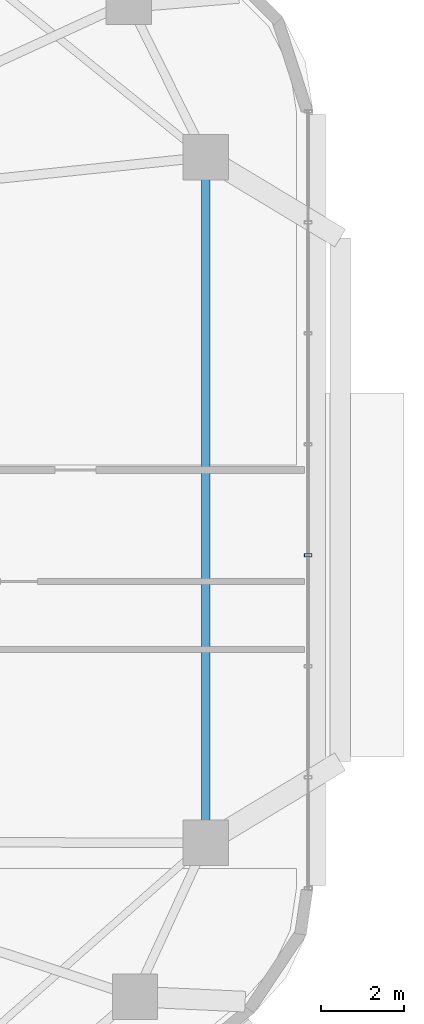
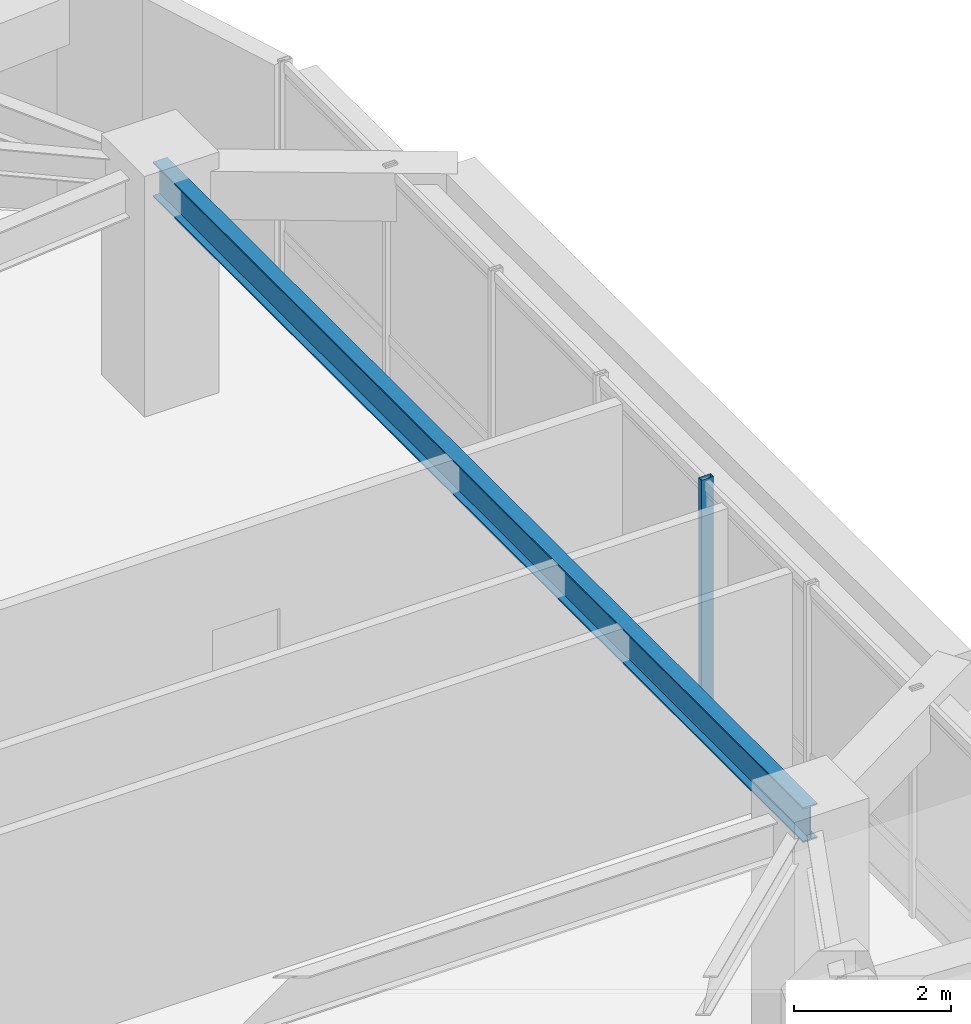
# One storey, part 3 of 15: 1 beam, 1 member, 1 element without a shape of its own.
"""IFC4 building model written with IfcOpenShell, lengths in metres."""

from ifc_helpers import new_model, si_unit, direction, frame, origin, origin_2d, place, context, subcontext, project, spatial, hollow_rectangle, i_section, extrude, material, material_profile, profile_set, type_object, element, aggregate, save


model = new_model("IFC4")

# Units and contexts
model_context = context("Model", 3, precision=1e-05, world=origin(), true_north=direction((0.0, 1.0)))
body_context = subcontext(model_context, "Body", "Model", "MODEL_VIEW")
ifc_project = project(units=[si_unit("LENGTHUNIT", "METRE"), si_unit("AREAUNIT", "SQUARE_METRE"), si_unit("VOLUMEUNIT", "CUBIC_METRE"), si_unit("PLANEANGLEUNIT", "RADIAN"), si_unit("MASSUNIT", "GRAM", prefix="KILO")], contexts=[model_context])

# Site, building, storey
site_placement = place(None, origin())
site = spatial("IfcSite", under=ifc_project, at=site_placement, CompositionType="ELEMENT")
building_placement = place(site_placement, origin())
building = spatial("IfcBuilding", under=site, at=building_placement, Name="Zulverin Broadcast Headquarters", CompositionType="ELEMENT")
storey_placement = place(building_placement, frame((0.0, 0.0, 132.60009765625)))
storey = spatial("IfcBuildingStorey", under=building, at=storey_placement, Name="L33", CompositionType="ELEMENT", Elevation=132.60009765625)

# Beam
ifc_material_1 = material(Name="Structural steel S355JR", Category="steel")
ifc_material_profile_1 = material_profile(ifc_material_1, i_section(OverallWidth=0.2119140625, OverallDepth=0.54443359375, WebThickness=0.0126953125, FlangeThickness=0.021240234375, at=origin_2d()), Name="Structural steel S355JR", Category="steel")
ifc_profile_set_1 = profile_set([ifc_material_profile_1], Name="Structural steel S355JR")
beam_type = type_object("IfcBeamType", Name="BM-UB-533", PredefinedType="SPANDREL", material=ifc_profile_set_1)
beam_placement = place(storey_placement, frame((60.60009765625, 17.519287109375, 3.267578125), z_axis=(0.0, 1.0, 0.0), x_axis=(-1.0, 0.0, 0.0)))
element("IfcBeam", 1, at=beam_placement, inside=storey, type_object=beam_type, Name="L33 Perimeter Spandrel Beam SP-05", PredefinedType="SPANDREL", context=body_context, shape_type="SweptSolid", body=[
    extrude(i_section(OverallWidth=0.2119140625, OverallDepth=0.54443359375, WebThickness=0.0126953125, FlangeThickness=0.021240234375, at=origin_2d()), origin(), (0.0, 0.0, 1.0), 16.602294921875),
])

# Curtain wall, member
ifc_material_2 = material(Name="Waist wind-pressure unitised curtain wall", Category="aluminium")
curtain_wall_type = type_object("IfcCurtainWallType", Name="CW-TWR-WST", PredefinedType="USERDEFINED", material=ifc_material_2)
curtain_wall_placement = place(storey_placement, origin())
curtain_wall = element("IfcCurtainWall", 2, at=curtain_wall_placement, inside=storey, type_object=curtain_wall_type, Name="L33 Unitised Curtain Wall CW-L33-E3", ObjectType="UNITISED CURTAIN WALL", PredefinedType="USERDEFINED")
ifc_material_3 = material(Name="Anodized pale-metal aluminium alloy 6063-T6", Category="aluminium")
ifc_material_profile_2 = material_profile(ifc_material_3, hollow_rectangle(XDim=0.074951171875, YDim=0.179931640625, WallThickness=0.0048828125, at=origin_2d()), Name="Anodized pale-metal aluminium alloy 6063-T6", Category="aluminium")
ifc_profile_set_2 = profile_set([ifc_material_profile_2], Name="Anodized pale-metal aluminium alloy 6063-T6")
member_type = type_object("IfcMemberType", Name="CW-MUL-180", PredefinedType="MULLION", material=ifc_profile_set_2)
member_placement = place(storey_placement, frame((63.080078125, 24.48046875, -0.030029296875), z_axis=(0.0, 0.0, 1.0), x_axis=(0.0, 1.0, 0.0)))
member = element("IfcMember", 3, at=member_placement, type_object=member_type, Name="CW-L33-E3 Mullion 03", PredefinedType="MULLION", context=body_context, shape_type="SweptSolid", body=[
    extrude(hollow_rectangle(XDim=0.074951171875, YDim=0.179931640625, WallThickness=0.0048828125, at=origin_2d()), origin(), (0.0, 0.0, 1.0), 3.599853515625),
])
aggregate(curtain_wall, [member])

save(model, "model.ifc")
